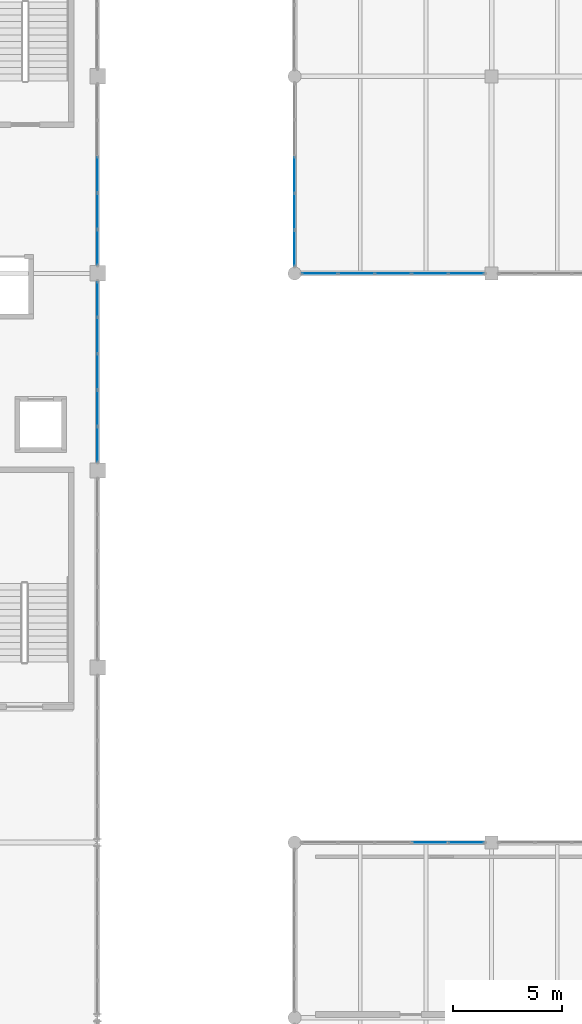
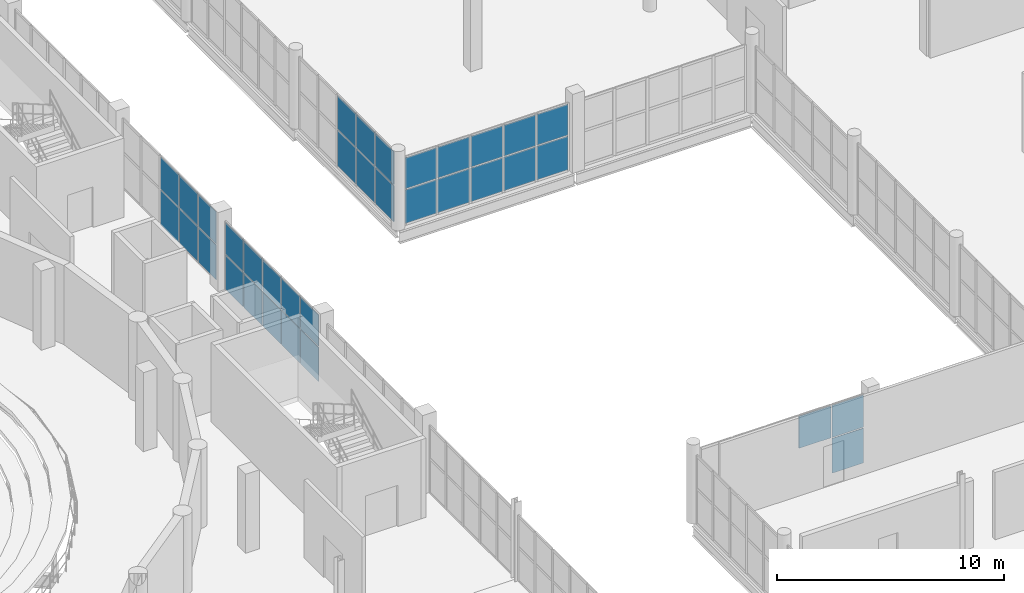
# One storey, part 49 of 73: 35 plates, 5 elements without a shape of their own.
"""IFC4 building model written with IfcOpenShell, lengths in metres."""

from ifc_helpers import new_model, si_unit, direction, frame, origin, origin_2d, place, context, subcontext, project, spatial, rectangle, extrude, material, layer, layer_set, type_object, element, aggregate, save


model = new_model("IFC4")

# Units and contexts
model_context = context("Model", 3, precision=1e-05, world=origin(), true_north=direction((0.0, 1.0)))
body_context = subcontext(model_context, "Body", "Model", "MODEL_VIEW")
ifc_project = project(units=[si_unit("LENGTHUNIT", "METRE"), si_unit("AREAUNIT", "SQUARE_METRE"), si_unit("VOLUMEUNIT", "CUBIC_METRE"), si_unit("PLANEANGLEUNIT", "RADIAN"), si_unit("MASSUNIT", "GRAM", prefix="KILO")], contexts=[model_context])

# Site, building, storey
site_placement = place(None, origin())
site = spatial("IfcSite", under=ifc_project, at=site_placement, CompositionType="ELEMENT")
building_placement = place(site_placement, origin())
building = spatial("IfcBuilding", under=site, at=building_placement, Name="Marnock Terrace Opera House", CompositionType="ELEMENT")
storey_placement = place(building_placement, frame((0.0, 0.0, 14.699951171875)))
storey = spatial("IfcBuildingStorey", under=building, at=storey_placement, Name="L03", CompositionType="ELEMENT", Elevation=14.699951171875)

# Curtain wall, plates
ifc_material_1 = material(Name="Anodised architectural bronze aluminium framing", Category="aluminium")
ifc_layer_1 = layer(ifc_material_1, 0.159912109375)
ifc_layer_set_1 = layer_set([ifc_layer_1], Name="Anodised architectural bronze aluminium framing")
curtain_wall_type_1 = type_object("IfcCurtainWallType", Name="CW-FOYER-90x42", PredefinedType="NOTDEFINED", material=ifc_layer_set_1)
curtain_wall_1_placement = place(storey_placement, origin())
curtain_wall_1 = element("IfcCurtainWall", 1, at=curtain_wall_1_placement, inside=storey, type_object=curtain_wall_type_1, Name="L03 glazed Beaux-Arts colonnade curtain wall CW-V1E-L03-07", PredefinedType="NOTDEFINED")
ifc_material_2 = material(Name="Double-glazed acoustic low-E laminated glass", Category="glass")
ifc_layer_2 = layer(ifc_material_2, 0.028076171875)
ifc_layer_set_2 = layer_set([ifc_layer_2], Name="Double-glazed acoustic low-E laminated glass")
plate_type_1 = type_object("IfcPlateType", Name="CWP-GLZ-28", PredefinedType="CURTAIN_PANEL", material=ifc_layer_set_2)
plate_1_placement = place(storey_placement, frame((109.0, 58.19189453125, 0.06005859375), z_axis=(0.0, 0.0, 1.0), x_axis=(0.0, 1.0, 0.0)))
plate_1 = element("IfcPlate", 2, at=plate_1_placement, type_object=plate_type_1, Name="CW-68 panel 1.1", PredefinedType="CURTAIN_PANEL", context=body_context, shape_type="SweptSolid", body=[
    extrude(rectangle(XDim=1.571533203125, YDim=0.028076171875, at=origin_2d()), origin(), (0.0, 0.0, 1.0), 1.829833984375),
])
plate_2_placement = place(storey_placement, frame((109.0, 58.19189453125, 1.949951171875), z_axis=(0.0, 0.0, 1.0), x_axis=(0.0, 1.0, 0.0)))
plate_2 = element("IfcPlate", 3, at=plate_2_placement, type_object=plate_type_1, Name="CW-68 panel 1.2", PredefinedType="CURTAIN_PANEL", context=body_context, shape_type="SweptSolid", body=[
    extrude(rectangle(XDim=1.571533203125, YDim=0.028076171875, at=origin_2d()), origin(), (0.0, 0.0, 1.0), 1.68212890625),
])
plate_3_placement = place(storey_placement, frame((109.0, 59.83837890625, 0.06005859375), z_axis=(0.0, 0.0, 1.0), x_axis=(0.0, 1.0, 0.0)))
plate_3 = element("IfcPlate", 4, at=plate_3_placement, type_object=plate_type_1, Name="CW-68 panel 2.1", PredefinedType="CURTAIN_PANEL", context=body_context, shape_type="SweptSolid", body=[
    extrude(rectangle(XDim=1.6015625, YDim=0.028076171875, at=origin_2d()), origin(), (0.0, 0.0, 1.0), 1.829833984375),
])
plate_4_placement = place(storey_placement, frame((109.0, 59.83837890625, 1.949951171875), z_axis=(0.0, 0.0, 1.0), x_axis=(0.0, 1.0, 0.0)))
plate_4 = element("IfcPlate", 5, at=plate_4_placement, type_object=plate_type_1, Name="CW-68 panel 2.2", PredefinedType="CURTAIN_PANEL", context=body_context, shape_type="SweptSolid", body=[
    extrude(rectangle(XDim=1.6015625, YDim=0.028076171875, at=origin_2d()), origin(), (0.0, 0.0, 1.0), 1.68212890625),
])
plate_5_placement = place(storey_placement, frame((109.0, 61.5, 0.06005859375), z_axis=(0.0, 0.0, 1.0), x_axis=(0.0, 1.0, 0.0)))
plate_5 = element("IfcPlate", 6, at=plate_5_placement, type_object=plate_type_1, Name="CW-68 panel 3.1", PredefinedType="CURTAIN_PANEL", context=body_context, shape_type="SweptSolid", body=[
    extrude(rectangle(XDim=1.6015625, YDim=0.028076171875, at=origin_2d()), origin(), (0.0, 0.0, 1.0), 1.829833984375),
])
plate_6_placement = place(storey_placement, frame((109.0, 61.5, 1.949951171875), z_axis=(0.0, 0.0, 1.0), x_axis=(0.0, 1.0, 0.0)))
plate_6 = element("IfcPlate", 7, at=plate_6_placement, type_object=plate_type_1, Name="CW-68 panel 3.2", PredefinedType="CURTAIN_PANEL", context=body_context, shape_type="SweptSolid", body=[
    extrude(rectangle(XDim=1.6015625, YDim=0.028076171875, at=origin_2d()), origin(), (0.0, 0.0, 1.0), 1.68212890625),
])
plate_7_placement = place(storey_placement, frame((109.0, 63.16162109375, 0.06005859375), z_axis=(0.0, 0.0, 1.0), x_axis=(0.0, 1.0, 0.0)))
plate_7 = element("IfcPlate", 8, at=plate_7_placement, type_object=plate_type_1, Name="CW-68 panel 4.1", PredefinedType="CURTAIN_PANEL", context=body_context, shape_type="SweptSolid", body=[
    extrude(rectangle(XDim=1.6015625, YDim=0.028076171875, at=origin_2d()), origin(), (0.0, 0.0, 1.0), 1.829833984375),
])
plate_8_placement = place(storey_placement, frame((109.0, 63.16162109375, 1.949951171875), z_axis=(0.0, 0.0, 1.0), x_axis=(0.0, 1.0, 0.0)))
plate_8 = element("IfcPlate", 9, at=plate_8_placement, type_object=plate_type_1, Name="CW-68 panel 4.2", PredefinedType="CURTAIN_PANEL", context=body_context, shape_type="SweptSolid", body=[
    extrude(rectangle(XDim=1.6015625, YDim=0.028076171875, at=origin_2d()), origin(), (0.0, 0.0, 1.0), 1.68212890625),
])
plate_9_placement = place(storey_placement, frame((109.0, 64.80810546875, 0.06005859375), z_axis=(0.0, 0.0, 1.0), x_axis=(0.0, 1.0, 0.0)))
plate_9 = element("IfcPlate", 10, at=plate_9_placement, type_object=plate_type_1, Name="CW-68 panel 5.1", PredefinedType="CURTAIN_PANEL", context=body_context, shape_type="SweptSolid", body=[
    extrude(rectangle(XDim=1.571533203125, YDim=0.028076171875, at=origin_2d()), origin(), (0.0, 0.0, 1.0), 1.829833984375),
])
plate_10_placement = place(storey_placement, frame((109.0, 64.80810546875, 1.949951171875), z_axis=(0.0, 0.0, 1.0), x_axis=(0.0, 1.0, 0.0)))
plate_10 = element("IfcPlate", 11, at=plate_10_placement, type_object=plate_type_1, Name="CW-68 panel 5.2", PredefinedType="CURTAIN_PANEL", context=body_context, shape_type="SweptSolid", body=[
    extrude(rectangle(XDim=1.571533203125, YDim=0.028076171875, at=origin_2d()), origin(), (0.0, 0.0, 1.0), 1.68212890625),
])
aggregate(curtain_wall_1, [plate_1, plate_2, plate_3, plate_4, plate_5, plate_6, plate_7, plate_8, plate_9, plate_10])

ifc_layer_3 = layer(ifc_material_1, 0.159912109375)
ifc_layer_set_3 = layer_set([ifc_layer_3], Name="Anodised architectural bronze aluminium framing")
curtain_wall_type_2 = type_object("IfcCurtainWallType", Name="CW-LOGGIA-86x42", PredefinedType="NOTDEFINED", material=ifc_layer_set_3)
curtain_wall_2_placement = place(storey_placement, origin())
curtain_wall_2 = element("IfcCurtainWall", 12, at=curtain_wall_2_placement, inside=storey, type_object=curtain_wall_type_2, Name="L03 glazed Beaux-Arts colonnade curtain wall CW-V5-L03-CS1", PredefinedType="NOTDEFINED")
plate_11_placement = place(storey_placement, frame((124.181640625, 40.0, 1.98486328125), z_axis=(0.0, 0.0, 1.0), x_axis=(1.0, 0.0, 0.0)))
plate_11 = element("IfcPlate", 13, at=plate_11_placement, type_object=plate_type_1, Name="CW-66 panel 4.2", PredefinedType="CURTAIN_PANEL", context=body_context, shape_type="SweptSolid", body=[
    extrude(rectangle(XDim=1.62158203125, YDim=0.028076171875, at=origin_2d()), origin(), (0.0, 0.0, 1.0), 1.714599609375),
])
plate_12_placement = place(storey_placement, frame((125.84814453125, 40.0, 0.06005859375), z_axis=(0.0, 0.0, 1.0), x_axis=(1.0, 0.0, 0.0)))
plate_12 = element("IfcPlate", 14, at=plate_12_placement, type_object=plate_type_1, Name="CW-66 panel 5.1", PredefinedType="CURTAIN_PANEL", context=body_context, shape_type="SweptSolid", body=[
    extrude(rectangle(XDim=1.591552734375, YDim=0.028076171875, at=origin_2d()), origin(), (0.0, 0.0, 1.0), 1.864990234375),
])
plate_13_placement = place(storey_placement, frame((125.84814453125, 40.0, 1.98486328125), z_axis=(0.0, 0.0, 1.0), x_axis=(1.0, 0.0, 0.0)))
plate_13 = element("IfcPlate", 15, at=plate_13_placement, type_object=plate_type_1, Name="CW-66 panel 5.2", PredefinedType="CURTAIN_PANEL", context=body_context, shape_type="SweptSolid", body=[
    extrude(rectangle(XDim=1.591552734375, YDim=0.028076171875, at=origin_2d()), origin(), (0.0, 0.0, 1.0), 1.714599609375),
])
aggregate(curtain_wall_2, [plate_11, plate_12, plate_13])

curtain_wall_3_placement = place(storey_placement, origin())
curtain_wall_3 = element("IfcCurtainWall", 16, at=curtain_wall_3_placement, inside=storey, type_object=curtain_wall_type_2, Name="L03 glazed Beaux-Arts colonnade curtain wall CW-V5-L03-CN1", PredefinedType="NOTDEFINED")
plate_14_placement = place(storey_placement, frame((119.15185546875, 66.0, 0.06005859375), z_axis=(0.0, 0.0, 1.0), x_axis=(1.0, 0.0, 0.0)))
plate_14 = element("IfcPlate", 17, at=plate_14_placement, type_object=plate_type_1, Name="CW-66 panel 1.1", PredefinedType="CURTAIN_PANEL", context=body_context, shape_type="SweptSolid", body=[
    extrude(rectangle(XDim=1.591552734375, YDim=0.028076171875, at=origin_2d()), origin(), (0.0, 0.0, 1.0), 1.804443359375),
])
plate_15_placement = place(storey_placement, frame((119.15185546875, 66.0, 1.92431640625), z_axis=(0.0, 0.0, 1.0), x_axis=(1.0, 0.0, 0.0)))
plate_15 = element("IfcPlate", 18, at=plate_15_placement, type_object=plate_type_1, Name="CW-66 panel 1.2", PredefinedType="CURTAIN_PANEL", context=body_context, shape_type="SweptSolid", body=[
    extrude(rectangle(XDim=1.591552734375, YDim=0.028076171875, at=origin_2d()), origin(), (0.0, 0.0, 1.0), 1.65869140625),
])
plate_16_placement = place(storey_placement, frame((120.818359375, 66.0, 0.06005859375), z_axis=(0.0, 0.0, 1.0), x_axis=(1.0, 0.0, 0.0)))
plate_16 = element("IfcPlate", 19, at=plate_16_placement, type_object=plate_type_1, Name="CW-66 panel 2.1", PredefinedType="CURTAIN_PANEL", context=body_context, shape_type="SweptSolid", body=[
    extrude(rectangle(XDim=1.62158203125, YDim=0.028076171875, at=origin_2d()), origin(), (0.0, 0.0, 1.0), 1.804443359375),
])
plate_17_placement = place(storey_placement, frame((120.818359375, 66.0, 1.92431640625), z_axis=(0.0, 0.0, 1.0), x_axis=(1.0, 0.0, 0.0)))
plate_17 = element("IfcPlate", 20, at=plate_17_placement, type_object=plate_type_1, Name="CW-66 panel 2.2", PredefinedType="CURTAIN_PANEL", context=body_context, shape_type="SweptSolid", body=[
    extrude(rectangle(XDim=1.62158203125, YDim=0.028076171875, at=origin_2d()), origin(), (0.0, 0.0, 1.0), 1.65869140625),
])
plate_18_placement = place(storey_placement, frame((122.5, 66.0, 0.06005859375), z_axis=(0.0, 0.0, 1.0), x_axis=(1.0, 0.0, 0.0)))
plate_18 = element("IfcPlate", 21, at=plate_18_placement, type_object=plate_type_1, Name="CW-66 panel 3.1", PredefinedType="CURTAIN_PANEL", context=body_context, shape_type="SweptSolid", body=[
    extrude(rectangle(XDim=1.62158203125, YDim=0.028076171875, at=origin_2d()), origin(), (0.0, 0.0, 1.0), 1.804443359375),
])
plate_19_placement = place(storey_placement, frame((122.5, 66.0, 1.92431640625), z_axis=(0.0, 0.0, 1.0), x_axis=(1.0, 0.0, 0.0)))
plate_19 = element("IfcPlate", 22, at=plate_19_placement, type_object=plate_type_1, Name="CW-66 panel 3.2", PredefinedType="CURTAIN_PANEL", context=body_context, shape_type="SweptSolid", body=[
    extrude(rectangle(XDim=1.62158203125, YDim=0.028076171875, at=origin_2d()), origin(), (0.0, 0.0, 1.0), 1.65869140625),
])
plate_20_placement = place(storey_placement, frame((124.181640625, 66.0, 0.06005859375), z_axis=(0.0, 0.0, 1.0), x_axis=(1.0, 0.0, 0.0)))
plate_20 = element("IfcPlate", 23, at=plate_20_placement, type_object=plate_type_1, Name="CW-66 panel 4.1", PredefinedType="CURTAIN_PANEL", context=body_context, shape_type="SweptSolid", body=[
    extrude(rectangle(XDim=1.62158203125, YDim=0.028076171875, at=origin_2d()), origin(), (0.0, 0.0, 1.0), 1.804443359375),
])
plate_21_placement = place(storey_placement, frame((124.181640625, 66.0, 1.92431640625), z_axis=(0.0, 0.0, 1.0), x_axis=(1.0, 0.0, 0.0)))
plate_21 = element("IfcPlate", 24, at=plate_21_placement, type_object=plate_type_1, Name="CW-66 panel 4.2", PredefinedType="CURTAIN_PANEL", context=body_context, shape_type="SweptSolid", body=[
    extrude(rectangle(XDim=1.62158203125, YDim=0.028076171875, at=origin_2d()), origin(), (0.0, 0.0, 1.0), 1.65869140625),
])
plate_22_placement = place(storey_placement, frame((125.84814453125, 66.0, 0.06005859375), z_axis=(0.0, 0.0, 1.0), x_axis=(1.0, 0.0, 0.0)))
plate_22 = element("IfcPlate", 25, at=plate_22_placement, type_object=plate_type_1, Name="CW-66 panel 5.1", PredefinedType="CURTAIN_PANEL", context=body_context, shape_type="SweptSolid", body=[
    extrude(rectangle(XDim=1.591552734375, YDim=0.028076171875, at=origin_2d()), origin(), (0.0, 0.0, 1.0), 1.804443359375),
])
plate_23_placement = place(storey_placement, frame((125.84814453125, 66.0, 1.92431640625), z_axis=(0.0, 0.0, 1.0), x_axis=(1.0, 0.0, 0.0)))
plate_23 = element("IfcPlate", 26, at=plate_23_placement, type_object=plate_type_1, Name="CW-66 panel 5.2", PredefinedType="CURTAIN_PANEL", context=body_context, shape_type="SweptSolid", body=[
    extrude(rectangle(XDim=1.591552734375, YDim=0.028076171875, at=origin_2d()), origin(), (0.0, 0.0, 1.0), 1.65869140625),
])
aggregate(curtain_wall_3, [plate_14, plate_15, plate_16, plate_17, plate_18, plate_19, plate_20, plate_21, plate_22, plate_23])

curtain_wall_4_placement = place(storey_placement, origin())
curtain_wall_4 = element("IfcCurtainWall", 27, at=curtain_wall_4_placement, inside=storey, type_object=curtain_wall_type_2, Name="L03 glazed Beaux-Arts colonnade curtain wall CW-V5-L03-W5", PredefinedType="NOTDEFINED")
plate_24_placement = place(storey_placement, frame((118.0, 67.15185546875, 0.06005859375), z_axis=(0.0, 0.0, 1.0), x_axis=(0.0, 1.0, 0.0)))
plate_24 = element("IfcPlate", 28, at=plate_24_placement, type_object=plate_type_1, Name="CW-66 panel 1.1", PredefinedType="CURTAIN_PANEL", context=body_context, shape_type="SweptSolid", body=[
    extrude(rectangle(XDim=1.591552734375, YDim=0.028076171875, at=origin_2d()), origin(), (0.0, 0.0, 1.0), 1.93505859375),
])
plate_25_placement = place(storey_placement, frame((118.0, 67.15185546875, 2.05517578125), z_axis=(0.0, 0.0, 1.0), x_axis=(0.0, 1.0, 0.0)))
plate_25 = element("IfcPlate", 29, at=plate_25_placement, type_object=plate_type_1, Name="CW-66 panel 1.2", PredefinedType="CURTAIN_PANEL", context=body_context, shape_type="SweptSolid", body=[
    extrude(rectangle(XDim=1.591552734375, YDim=0.028076171875, at=origin_2d()), origin(), (0.0, 0.0, 1.0), 1.779296875),
])
plate_26_placement = place(storey_placement, frame((118.0, 68.818359375, 0.06005859375), z_axis=(0.0, 0.0, 1.0), x_axis=(0.0, 1.0, 0.0)))
plate_26 = element("IfcPlate", 30, at=plate_26_placement, type_object=plate_type_1, Name="CW-66 panel 2.1", PredefinedType="CURTAIN_PANEL", context=body_context, shape_type="SweptSolid", body=[
    extrude(rectangle(XDim=1.62158203125, YDim=0.028076171875, at=origin_2d()), origin(), (0.0, 0.0, 1.0), 1.93505859375),
])
plate_27_placement = place(storey_placement, frame((118.0, 68.818359375, 2.05517578125), z_axis=(0.0, 0.0, 1.0), x_axis=(0.0, 1.0, 0.0)))
plate_27 = element("IfcPlate", 31, at=plate_27_placement, type_object=plate_type_1, Name="CW-66 panel 2.2", PredefinedType="CURTAIN_PANEL", context=body_context, shape_type="SweptSolid", body=[
    extrude(rectangle(XDim=1.62158203125, YDim=0.028076171875, at=origin_2d()), origin(), (0.0, 0.0, 1.0), 1.779296875),
])
plate_28_placement = place(storey_placement, frame((118.0, 70.5, 0.06005859375), z_axis=(0.0, 0.0, 1.0), x_axis=(0.0, 1.0, 0.0)))
plate_28 = element("IfcPlate", 32, at=plate_28_placement, type_object=plate_type_1, Name="CW-66 panel 3.1", PredefinedType="CURTAIN_PANEL", context=body_context, shape_type="SweptSolid", body=[
    extrude(rectangle(XDim=1.62158203125, YDim=0.028076171875, at=origin_2d()), origin(), (0.0, 0.0, 1.0), 1.93505859375),
])
plate_29_placement = place(storey_placement, frame((118.0, 70.5, 2.05517578125), z_axis=(0.0, 0.0, 1.0), x_axis=(0.0, 1.0, 0.0)))
plate_29 = element("IfcPlate", 33, at=plate_29_placement, type_object=plate_type_1, Name="CW-66 panel 3.2", PredefinedType="CURTAIN_PANEL", context=body_context, shape_type="SweptSolid", body=[
    extrude(rectangle(XDim=1.62158203125, YDim=0.028076171875, at=origin_2d()), origin(), (0.0, 0.0, 1.0), 1.779296875),
])
aggregate(curtain_wall_4, [plate_24, plate_25, plate_26, plate_27, plate_28, plate_29])

curtain_wall_5_placement = place(storey_placement, origin())
curtain_wall_5 = element("IfcCurtainWall", 34, at=curtain_wall_5_placement, inside=storey, type_object=curtain_wall_type_1, Name="L03 glazed Beaux-Arts colonnade curtain wall CW-V1E-L03-08", PredefinedType="NOTDEFINED")
ifc_layer_4 = layer(ifc_material_1, 0.035888671875)
ifc_layer_set_4 = layer_set([ifc_layer_4], Name="Anodised architectural bronze aluminium framing")
plate_type_2 = type_object("IfcPlateType", Name="CWP-SPAND-36", PredefinedType="CURTAIN_PANEL", material=ifc_layer_set_4)
plate_30_placement = place(storey_placement, frame((109.0, 67.19189453125, 0.06005859375), z_axis=(0.0, 0.0, 1.0), x_axis=(0.0, 1.0, 0.0)))
plate_30 = element("IfcPlate", 35, at=plate_30_placement, type_object=plate_type_2, Name="CW-68 panel 1.1", PredefinedType="CURTAIN_PANEL", context=body_context, shape_type="SweptSolid", body=[
    extrude(rectangle(XDim=1.571533203125, YDim=0.028076171875, at=origin_2d()), origin(), (0.0, 0.0, 1.0), 1.86669921875),
])
plate_31_placement = place(storey_placement, frame((109.0, 67.19189453125, 1.98681640625), z_axis=(0.0, 0.0, 1.0), x_axis=(0.0, 1.0, 0.0)))
plate_31 = element("IfcPlate", 36, at=plate_31_placement, type_object=plate_type_2, Name="CW-68 panel 1.2", PredefinedType="CURTAIN_PANEL", context=body_context, shape_type="SweptSolid", body=[
    extrude(rectangle(XDim=1.571533203125, YDim=0.028076171875, at=origin_2d()), origin(), (0.0, 0.0, 1.0), 1.716064453125),
])
plate_32_placement = place(storey_placement, frame((109.0, 68.83837890625, 0.06005859375), z_axis=(0.0, 0.0, 1.0), x_axis=(0.0, 1.0, 0.0)))
plate_32 = element("IfcPlate", 37, at=plate_32_placement, type_object=plate_type_2, Name="CW-68 panel 2.1", PredefinedType="CURTAIN_PANEL", context=body_context, shape_type="SweptSolid", body=[
    extrude(rectangle(XDim=1.6015625, YDim=0.028076171875, at=origin_2d()), origin(), (0.0, 0.0, 1.0), 1.86669921875),
])
plate_33_placement = place(storey_placement, frame((109.0, 68.83837890625, 1.98681640625), z_axis=(0.0, 0.0, 1.0), x_axis=(0.0, 1.0, 0.0)))
plate_33 = element("IfcPlate", 38, at=plate_33_placement, type_object=plate_type_2, Name="CW-68 panel 2.2", PredefinedType="CURTAIN_PANEL", context=body_context, shape_type="SweptSolid", body=[
    extrude(rectangle(XDim=1.6015625, YDim=0.028076171875, at=origin_2d()), origin(), (0.0, 0.0, 1.0), 1.716064453125),
])
plate_34_placement = place(storey_placement, frame((109.0, 70.5, 0.06005859375), z_axis=(0.0, 0.0, 1.0), x_axis=(0.0, 1.0, 0.0)))
plate_34 = element("IfcPlate", 39, at=plate_34_placement, type_object=plate_type_2, Name="CW-68 panel 3.1", PredefinedType="CURTAIN_PANEL", context=body_context, shape_type="SweptSolid", body=[
    extrude(rectangle(XDim=1.6015625, YDim=0.028076171875, at=origin_2d()), origin(), (0.0, 0.0, 1.0), 1.86669921875),
])
plate_35_placement = place(storey_placement, frame((109.0, 70.5, 1.98681640625), z_axis=(0.0, 0.0, 1.0), x_axis=(0.0, 1.0, 0.0)))
plate_35 = element("IfcPlate", 40, at=plate_35_placement, type_object=plate_type_2, Name="CW-68 panel 3.2", PredefinedType="CURTAIN_PANEL", context=body_context, shape_type="SweptSolid", body=[
    extrude(rectangle(XDim=1.6015625, YDim=0.028076171875, at=origin_2d()), origin(), (0.0, 0.0, 1.0), 1.716064453125),
])
aggregate(curtain_wall_5, [plate_30, plate_31, plate_32, plate_33, plate_34, plate_35])

save(model, "model.ifc")
